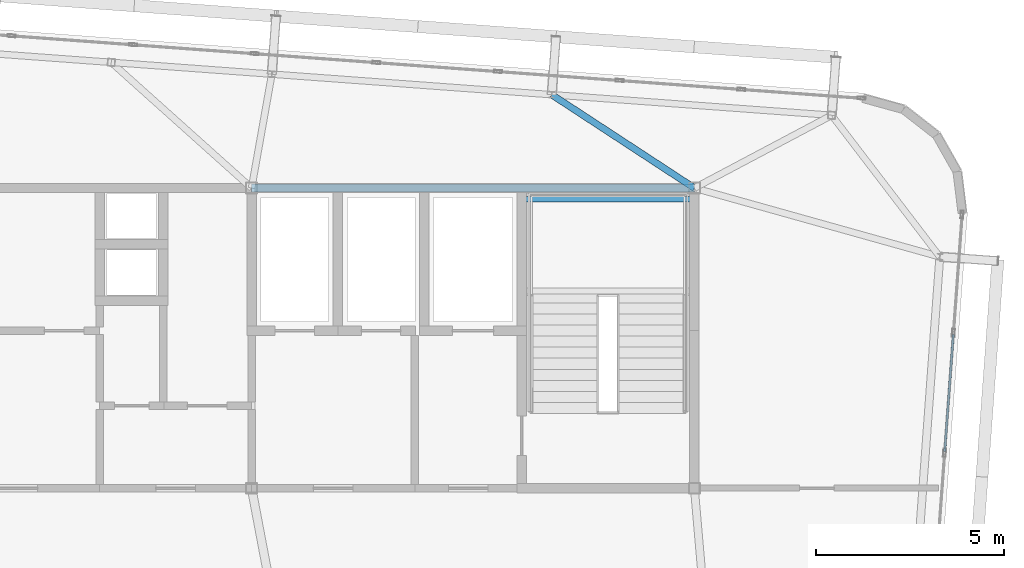
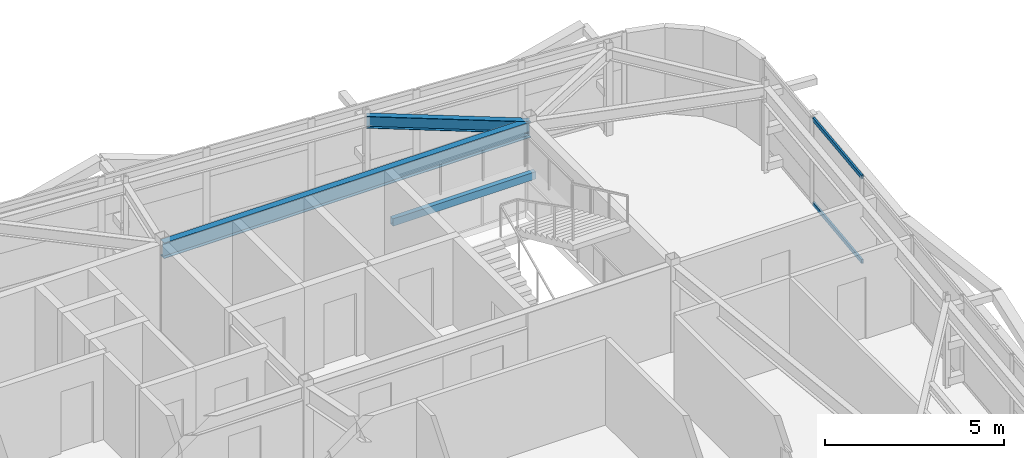
# One storey, part 24 of 42: 3 beams, 2 members, 1 element without a shape of its own.
"""IFC4 building model written with IfcOpenShell, lengths in metres."""

from ifc_helpers import new_model, si_unit, direction, frame, origin, origin_2d, place, context, subcontext, project, spatial, hollow_rectangle, i_section, extrude, source, transform, mapped, material, layer, layer_set, material_profile, profile_set, type_object, element, aggregate, save


model = new_model("IFC4")

# Units and contexts
model_context = context("Model", 3, precision=1e-05, world=origin(), true_north=direction((0.0, 1.0)))
body_context = subcontext(model_context, "Body", "Model", "MODEL_VIEW")
ifc_project = project(units=[si_unit("LENGTHUNIT", "METRE"), si_unit("AREAUNIT", "SQUARE_METRE"), si_unit("VOLUMEUNIT", "CUBIC_METRE"), si_unit("PLANEANGLEUNIT", "RADIAN"), si_unit("MASSUNIT", "GRAM", prefix="KILO")], contexts=[model_context])

# Site, building, storey
site_placement = place(None, origin())
site = spatial("IfcSite", under=ifc_project, at=site_placement, CompositionType="ELEMENT")
building_placement = place(site_placement, origin())
building = spatial("IfcBuilding", under=site, at=building_placement, Name="Taldren Reach Tower", CompositionType="ELEMENT")
storey_placement = place(building_placement, frame((0.0, 0.0, 217.699951171875)))
storey = spatial("IfcBuildingStorey", under=building, at=storey_placement, Name="L66", CompositionType="ELEMENT", Elevation=217.699951171875)

# Beams
ifc_material_1 = material(Name="Steel Gr 350 (350PLUS)", Category="steel")
ifc_material_profile_1 = material_profile(ifc_material_1, i_section(OverallWidth=0.208984375, OverallDepth=0.532958984375, WebThickness=0.01025390625, FlangeThickness=0.015625, at=origin_2d()), Name="530UB92.4")
ifc_profile_set_1 = profile_set([ifc_material_profile_1], Name="Steel Gr 350 (350PLUS)")
beam_type_1 = type_object("IfcBeamType", Name="BM-UB530A", PredefinedType="BEAM", material=ifc_profile_set_1)
shared_shape_1 = source(origin(), body_context, "Body", "SweptSolid", [
    extrude(i_section(OverallWidth=0.208984375, OverallDepth=0.532958984375, WebThickness=0.01025390625, FlangeThickness=0.015625, at=origin_2d()), origin(), (0.0, 0.0, 1.0), 11.800048828125),
])
beam_1_placement = place(storey_placement, frame((39.199951171875, 32.0, 2.66357421875), z_axis=(1.0, 0.0, 0.0), x_axis=(0.0, 1.0, 0.0)))
element("IfcBeam", 1, at=beam_1_placement, inside=storey, type_object=beam_type_1, Name="Core-spine girder L66-SP06", PredefinedType="BEAM", context=body_context, shape_type="MappedRepresentation", body=[
    mapped(shared_shape_1, transform((0.0, 0.0, 0.0), scale=1.0)),
])
ifc_material_profile_2 = material_profile(ifc_material_1, i_section(OverallWidth=0.177978515625, OverallDepth=0.406005859375, WebThickness=0.0078125, FlangeThickness=0.0126953125, at=origin_2d()), Name="410UB59.7")
ifc_profile_set_2 = profile_set([ifc_material_profile_2], Name="Steel Gr 350 (350PLUS)")
beam_type_2 = type_object("IfcBeamType", Name="BM-UB410", PredefinedType="BEAM", material=ifc_profile_set_2)
shared_shape_2 = source(origin(), body_context, "Body", "SweptSolid", [
    extrude(i_section(OverallWidth=0.177978515625, OverallDepth=0.406005859375, WebThickness=0.0078125, FlangeThickness=0.0126953125, at=origin_2d()), origin(), (0.0, 0.0, 1.0), 4.542236328125),
])
beam_2_placement = place(storey_placement, frame((51.0, 32.0, 2.72705078125), z_axis=(-0.836709129479, 0.547647544181, 0.0), x_axis=(-0.547647544181, -0.836709129479, 0.0)))
element("IfcBeam", 2, at=beam_2_placement, inside=storey, type_object=beam_type_2, Name="Primary floor girder B5-N5 L66", PredefinedType="BEAM", context=body_context, shape_type="MappedRepresentation", body=[
    mapped(shared_shape_2, transform((0.0, 0.0, 0.0), scale=1.0)),
])

# Curtain wall, members
ifc_material_2 = material(Name="Aluminium and Low-E Glass Unitised System", Category="aluminium")
ifc_layer = layer(ifc_material_2, 0.159912109375)
ifc_layer_set = layer_set([ifc_layer], Name="Aluminium and Low-E Glass Unitised System")
curtain_wall_type = type_object("IfcCurtainWallType", Name="CW-SYS-6", PredefinedType="NOTDEFINED", material=ifc_layer_set)
curtain_wall_placement = place(storey_placement, origin())
curtain_wall = element("IfcCurtainWall", 3, at=curtain_wall_placement, inside=storey, type_object=curtain_wall_type, Name="Unitised curtain wall CW-L66-E", PredefinedType="NOTDEFINED")
ifc_material_3 = material(Name="Anodised Aluminium 6063-T6", Category="aluminium")
ifc_material_profile_3 = material_profile(ifc_material_3, hollow_rectangle(XDim=0.06005859375, YDim=0.135009765625, WallThickness=0.00341796875, at=origin_2d()), Name="ALU-135x60x3.5RHS")
ifc_profile_set_3 = profile_set([ifc_material_profile_3], Name="Anodised Aluminium 6063-T6")
member_type = type_object("IfcMemberType", Name="CW-TRN-150", PredefinedType="USERDEFINED", material=ifc_profile_set_3)
shared_shape_3 = source(origin(), body_context, "Body", "SweptSolid", [
    extrude(hollow_rectangle(XDim=0.06005859375, YDim=0.135009765625, WallThickness=0.00341796875, at=origin_2d()), origin(), (0.0, 0.0, 1.0), 3.124755859375),
])
member_1_placement = place(storey_placement, frame((57.67138671875, 24.982666015625, 0.030029296875), z_axis=(0.073284589347, 0.997311069308, 0.0), x_axis=(-0.997311069308, 0.073284589347, 0.0)))
member_1 = element("IfcMember", 4, at=member_1_placement, type_object=member_type, Name="CW-6 transom 7.1", ObjectType="TRANSOM", PredefinedType="USERDEFINED", context=body_context, shape_type="MappedRepresentation", body=[
    mapped(shared_shape_3, transform((0.0, 0.0, 0.0), scale=1.0)),
])
member_2_placement = place(storey_placement, frame((57.67138671875, 24.982666015625, 2.900146484375), z_axis=(0.073284589347, 0.997311069308, 0.0), x_axis=(-0.997311069308, 0.073284589347, 0.0)))
member_2 = element("IfcMember", 5, at=member_2_placement, type_object=member_type, Name="CW-6 transom 7.2", ObjectType="TRANSOM", PredefinedType="USERDEFINED", context=body_context, shape_type="MappedRepresentation", body=[
    mapped(shared_shape_3, transform((0.0, 0.0, 0.0), scale=1.0)),
])
aggregate(curtain_wall, [member_1, member_2])

# Beam
ifc_material_4 = material(Name="Steel Gr 350 (C350L0)", Category="steel")
ifc_material_profile_4 = material_profile(ifc_material_4, hollow_rectangle(XDim=0.14990234375, YDim=0.25, WallThickness=0.009033203125, at=origin_2d()), Name="250x150x9.0RHS")
ifc_profile_set_4 = profile_set([ifc_material_profile_4], Name="Steel Gr 350 (C350L0)")
beam_type_3 = type_object("IfcBeamType", Name="LN-RHS250", PredefinedType="LINTEL", material=ifc_profile_set_4)
shared_shape_4 = source(origin(), body_context, "Body", "SweptSolid", [
    extrude(hollow_rectangle(XDim=0.14990234375, YDim=0.25, WallThickness=0.009033203125, at=origin_2d()), origin(), (0.0, 0.0, 1.0), 4.60009765625),
])
beam_3_placement = place(storey_placement, frame((46.39990234375, 31.699951171875, 1.27001953125), z_axis=(1.0, 0.0, 0.0), x_axis=(0.0, 1.0, 0.0)))
element("IfcBeam", 6, at=beam_3_placement, inside=storey, type_object=beam_type_3, Name="Stair half-landing support beam ST2-L66-2", PredefinedType="LINTEL", context=body_context, shape_type="MappedRepresentation", body=[
    mapped(shared_shape_4, transform((0.0, 0.0, 0.0), scale=1.0)),
])

save(model, "model.ifc")
